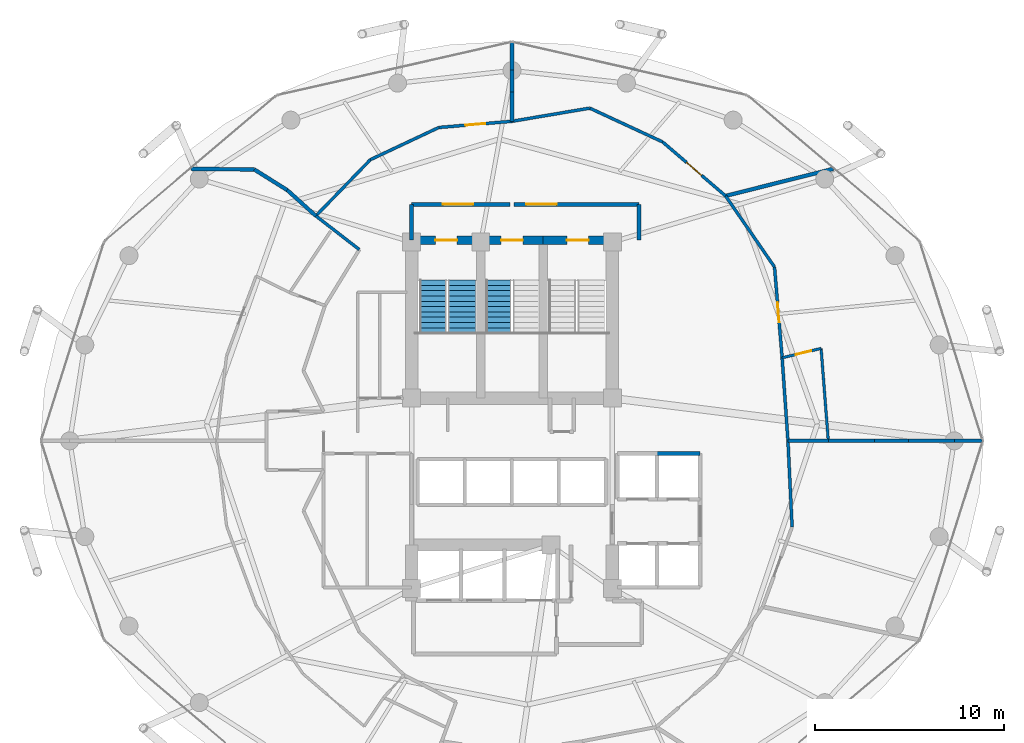
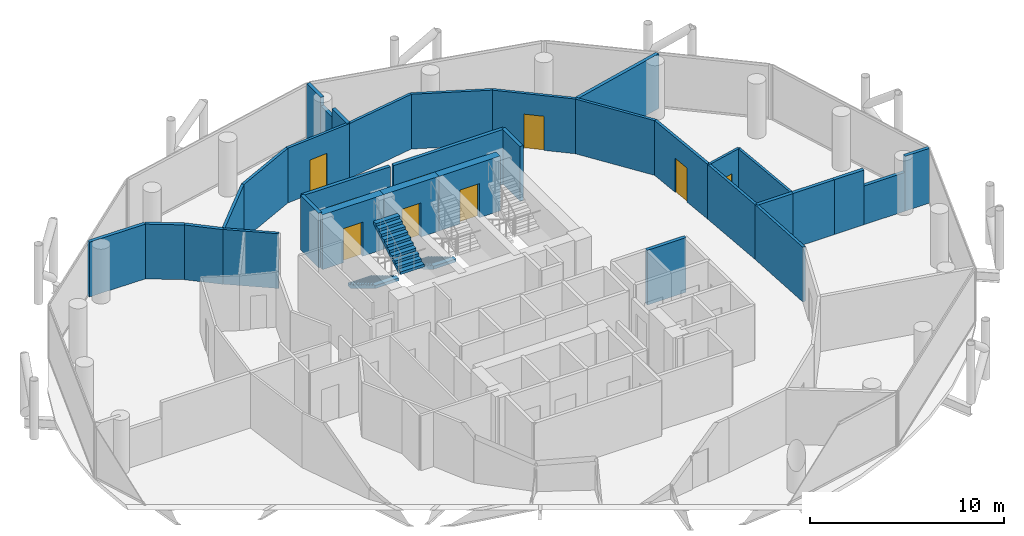
# One storey, part 24 of 26: 33 walls, 9 doors, 3 stair flights, 9 openings, 2 elements without a shape of their own.
"""IFC4 building model written with IfcOpenShell, lengths in metres."""

import ifcopenshell
import ifcopenshell.guid

model = None  # the IFC model being written
_history = None  # IfcOwnerHistory: only IFC2X3 demands one
_inside = {}  # id of a spatial element -> (the spatial element, [elements in it])
_under = {}  # id of a project, library or spatial element -> (it, [spatial elements below it])
_declared = {}  # id of a project -> (the project, [libraries it declares])
_typed = {}  # id of a type object -> (the type object, [elements of that type])
_made_of = {}  # id of a material, layer set ... -> (it, [elements and type objects made of it])


def new_model(schema):
    """Start an empty IFC model of exactly this schema.

    Asked for "IFC4X3", IfcOpenShell would pick the latest addendum, in which some entities
    have other attributes; the version numbers below select the first issue.
    IFC2X3 requires an IfcOwnerHistory on every rooted entity: one is made here for all.
    """
    global model, _history
    if schema == "IFC4X3":
        model = ifcopenshell.file(schema_version=(4, 3, 0, 0))
    else:
        model = ifcopenshell.file(schema=schema)
    _inside.clear()
    _under.clear()
    _declared.clear()
    _typed.clear()
    _made_of.clear()
    _history = None
    if model.schema == "IFC2X3":
        org = make("IfcOrganization", Name="unknown")
        user = make(
            "IfcPersonAndOrganization",
            ThePerson=make("IfcPerson", FamilyName="unknown"),
            TheOrganization=org,
        )
        app = make(
            "IfcApplication",
            ApplicationDeveloper=org,
            Version="unknown",
            ApplicationFullName="unknown",
            ApplicationIdentifier="unknown",
        )
        _history = make(
            "IfcOwnerHistory",
            OwningUser=user,
            OwningApplication=app,
            ChangeAction="ADDED",
            CreationDate=0,
        )
    return model


def make(cls, **values):
    """One entity of the class cls with the attributes given. An attribute that is None is left unset."""
    return model.create_entity(
        cls, **{name: value for name, value in values.items() if value is not None}
    )


def rooted(cls, **values):
    """An entity with a GlobalId (a new one), such as an element, a storey or a relation."""
    return make(cls, GlobalId=ifcopenshell.guid.new(), OwnerHistory=_history, **values)


def si_unit(unit_type, name, prefix=None):
    """IfcSIUnit, for example si_unit("LENGTHUNIT", "METRE", prefix="MILLI")."""
    return make("IfcSIUnit", UnitType=unit_type, Prefix=prefix, Name=name)


def assignment(units):
    """IfcUnitAssignment: the units of a project."""
    return None if units is None else make("IfcUnitAssignment", Units=units)


def point(xyz):
    """IfcCartesianPoint."""
    return None if xyz is None else make("IfcCartesianPoint", Coordinates=xyz)


def direction(xyz):
    """IfcDirection."""
    return None if xyz is None else make("IfcDirection", DirectionRatios=xyz)


def frame(location, z_axis=None, x_axis=None):
    """IfcAxis2Placement3D, a coordinate frame: its origin and axes. An axis left out is left unset."""
    return make(
        "IfcAxis2Placement3D",
        Location=point(location),
        Axis=direction(z_axis),
        RefDirection=direction(x_axis),
    )


def frame_2d(location, x_axis=None):
    """IfcAxis2Placement2D, a coordinate frame in the plane: its origin and x axis."""
    return make(
        "IfcAxis2Placement2D", Location=point(location), RefDirection=direction(x_axis)
    )


def origin():
    """The frame at (0, 0, 0) with its axes left unset."""
    return frame((0.0, 0.0, 0.0))


def place(relative_to, where):
    """IfcLocalPlacement: puts the frame where relative to a parent placement (None: the world)."""
    return make(
        "IfcLocalPlacement", PlacementRelTo=relative_to, RelativePlacement=where
    )


def context(
    kind, dimensions, precision=None, world=None, true_north=None, identifier=None
):
    """IfcGeometricRepresentationContext, for example the 3D "Model" context."""
    return make(
        "IfcGeometricRepresentationContext",
        ContextIdentifier=identifier,
        ContextType=kind,
        CoordinateSpaceDimension=dimensions,
        Precision=precision,
        WorldCoordinateSystem=world,
        TrueNorth=true_north,
    )


def subcontext(parent, identifier, kind, view, scale=None):
    """IfcGeometricRepresentationSubContext, for example "Body" below "Model"."""
    return make(
        "IfcGeometricRepresentationSubContext",
        ContextIdentifier=identifier,
        ContextType=kind,
        ParentContext=parent,
        TargetScale=scale,
        TargetView=view,
    )


def project(units=None, contexts=None):
    """IfcProject with its units and contexts."""
    return rooted(
        "IfcProject",
        Name="project",
        RepresentationContexts=contexts,
        UnitsInContext=assignment(units),
    )


def spatial(cls, under=None, at=None, **own):
    """A site, building, storey or space (cls), placed at a placement, below another one or the project."""
    s = rooted(cls, ObjectPlacement=at, **own)
    if under is not None:
        _under.setdefault(under.id(), (under, []))[1].append(s)
    return s


def polyline(points):
    """IfcPolyline through the points."""
    return make("IfcPolyline", Points=[point(p) for p in points])


def profile(cls, at=None, kind="AREA", **sizes):
    """A parametric profile (cls). Its sizes go by their IFC names, for example OverallWidth=200.0."""
    return make(cls, ProfileType=kind, Position=at, **sizes)


def rectangle(**sizes):
    """IfcRectangleProfileDef."""
    return profile("IfcRectangleProfileDef", **sizes)


def outline(outer, holes=None, kind="AREA"):
    """IfcArbitraryClosedProfileDef: a profile drawn as a closed curve; with holes, ...WithVoids."""
    if holes is None:
        return make("IfcArbitraryClosedProfileDef", ProfileType=kind, OuterCurve=outer)
    return make(
        "IfcArbitraryProfileDefWithVoids",
        ProfileType=kind,
        OuterCurve=outer,
        InnerCurves=holes,
    )


def extrude(swept, where, along, depth):
    """IfcExtrudedAreaSolid: the profile swept, set in the frame where, extruded along a direction by depth."""
    return make(
        "IfcExtrudedAreaSolid",
        SweptArea=swept,
        Position=where,
        ExtrudedDirection=direction(along),
        Depth=depth,
    )


def shape(context_of_items, identifier, shape_type, items):
    """IfcShapeRepresentation: the items that make up one representation, for example the "Body"."""
    return make(
        "IfcShapeRepresentation",
        ContextOfItems=context_of_items,
        RepresentationIdentifier=identifier,
        RepresentationType=shape_type,
        Items=items,
    )


def material(Name=None, Category=None):
    """IfcMaterial."""
    return make("IfcMaterial", Name=Name, Category=Category)


def layer(
    of_material, thickness, ventilated=None, Name=None, Category=None, Priority=None
):
    """IfcMaterialLayer: one layer of a wall or slab, of a material (None: an air gap)."""
    return make(
        "IfcMaterialLayer",
        Material=of_material,
        LayerThickness=thickness,
        IsVentilated=ventilated,
        Name=Name,
        Category=Category,
        Priority=Priority,
    )


def layer_set(layers, Name=None):
    """IfcMaterialLayerSet."""
    return make("IfcMaterialLayerSet", MaterialLayers=layers, LayerSetName=Name)


def made_of(thing, what):
    """Note that an element or type object is made of a material, layer set ...; save() writes the relation."""
    if what is not None:
        _made_of.setdefault(what.id(), (what, []))[1].append(thing)
    return thing


def type_object(cls, material=None, **own):
    """A type object (cls), such as IfcWallType, which elements share."""
    return made_of(rooted(cls, **own), material)


def element(
    cls,
    number,
    at=None,
    inside=None,
    cuts=None,
    type_object=None,
    material=None,
    context=None,
    identifier="Body",
    shape_type=None,
    held_by="IfcProductDefinitionShape",
    body=None,
    shapes=None,
    **own,
):
    """One element of the class cls, such as IfcWall. Its Tag is "e" and its number.

    at: its placement. inside: the storey or other place that contains it. cuts: it is an
    opening in that element (IfcRelVoidsElement). A single representation is given by context,
    identifier, shape_type and body (its items); several are given by shapes. held_by: the class
    of the entity that holds the representations. save() writes the other relations.
    """
    e = rooted(cls, Tag="e%d" % number, ObjectPlacement=at, **own)
    if body is not None:
        shapes = [shape(context, identifier, shape_type, body)]
    if shapes is not None:
        e.Representation = make(held_by, Representations=shapes)
    if inside is not None:
        _inside.setdefault(inside.id(), (inside, []))[1].append(e)
    if cuts is not None:
        rooted(
            "IfcRelVoidsElement", RelatingBuildingElement=cuts, RelatedOpeningElement=e
        )
    if type_object is not None:
        _typed.setdefault(type_object.id(), (type_object, []))[1].append(e)
    return made_of(e, material)


def fill(opening, filler):
    """IfcRelFillsElement: the door or window that sits in an opening."""
    return rooted(
        "IfcRelFillsElement",
        RelatingOpeningElement=opening,
        RelatedBuildingElement=filler,
    )


def aggregate(whole, parts):
    """IfcRelAggregates: a whole, such as a stair, and the parts it consists of."""
    return rooted("IfcRelAggregates", RelatingObject=whole, RelatedObjects=parts)


def save(model, path):
    """Write the relations noted so far, then the file.

    IfcRelAggregates (storeys below a building ...), IfcRelContainedInSpatialStructure (elements
    in a storey), IfcRelDefinesByType, IfcRelAssociatesMaterial and IfcRelDeclares: one each for
    every whole, place, type object, material and project.
    """
    for whole, parts in _under.values():
        aggregate(whole, parts)
    for where, things in _inside.values():
        rooted(
            "IfcRelContainedInSpatialStructure",
            RelatedElements=things,
            RelatingStructure=where,
        )
    for kind, things in _typed.values():
        rooted("IfcRelDefinesByType", RelatedObjects=things, RelatingType=kind)
    for what, things in _made_of.values():
        rooted("IfcRelAssociatesMaterial", RelatedObjects=things, RelatingMaterial=what)
    for by, libraries in _declared.values():
        rooted("IfcRelDeclares", RelatingContext=by, RelatedDefinitions=libraries)
    model.write(path)


model = new_model("IFC4")

# Units and contexts
model_context = context("Model", 3, precision=1e-05, world=origin(), true_north=direction((0.0, 1.0)))
body_context = subcontext(model_context, "Body", "Model", "MODEL_VIEW")
ifc_project = project(units=[si_unit("LENGTHUNIT", "METRE"), si_unit("AREAUNIT", "SQUARE_METRE"), si_unit("VOLUMEUNIT", "CUBIC_METRE"), si_unit("PLANEANGLEUNIT", "RADIAN"), si_unit("MASSUNIT", "GRAM", prefix="KILO")], contexts=[model_context])

# Site, building, storey
site_placement = place(None, origin())
site = spatial("IfcSite", under=ifc_project, at=site_placement, CompositionType="ELEMENT")
building_placement = place(site_placement, origin())
building = spatial("IfcBuilding", under=site, at=building_placement, Name="Nuhasar Tower", CompositionType="ELEMENT")
storey_placement = place(building_placement, frame((0.0, 0.0, 177.449951171875)))
storey = spatial("IfcBuildingStorey", under=building, at=storey_placement, Name="L43", CompositionType="ELEMENT", Elevation=177.449951171875)

# Wall, opening, door
ifc_material_1 = material(Name="Concrete C50/60", Category="concrete")
ifc_layer_1 = layer(ifc_material_1, 0.449951171875)
ifc_layer_set_1 = layer_set([ifc_layer_1], Name="Concrete C50/60")
wall_type_1 = type_object("IfcWallType", Name="WL-CORE-450", PredefinedType="SHEAR", material=ifc_layer_set_1)
wall_1_placement = place(storey_placement, frame((37.35009765625, 37.39990234375, 0.0), z_axis=(0.0, 0.0, 1.0), x_axis=(-1.0, 0.0, 0.0)))
wall_1 = element("IfcWall", 1, at=wall_1_placement, inside=storey, type_object=wall_type_1, Name="L43 Stairwell Shear Wall ST01-N", PredefinedType="SHEAR", context=body_context, shape_type="SweptSolid", body=[
    extrude(rectangle(XDim=3.650146484375, YDim=0.449951171875, at=frame_2d((1.8251953125, 0.0))), origin(), (0.0, 0.0, 1.0), 3.449951171875),
])
opening_1_placement = place(wall_1_placement, frame((1.25, 0.0, 0.0)))
opening_1 = element("IfcOpeningElement", 2, at=opening_1_placement, cuts=wall_1, Name="Opening DS-01", PredefinedType="OPENING", context=body_context, shape_type="SweptSolid", body=[
    extrude(rectangle(XDim=1.14990234375, YDim=2.14990234375, at=frame_2d((0.574951171875, 1.074951171875))), frame((0.0, 0.23486328125, 0.0), z_axis=(0.0, -1.0, 0.0), x_axis=(1.0, 0.0, 0.0)), (0.0, 0.0, 1.0), 0.469970703125),
])
ifc_material_2 = material(Name="Steel S355", Category="steel")
door_type_1 = type_object("IfcDoorType", Name="DR-STAIR-FD120-1150", OperationType="NOTDEFINED", PredefinedType="DOOR", material=ifc_material_2)
door_1_placement = place(opening_1_placement, origin())
door_1 = element("IfcDoor", 3, at=door_1_placement, inside=storey, type_object=door_type_1, Name="L43 Exit Stair ST-01 Door", OperationType="SINGLE_SWING_RIGHT", OverallHeight=2.14990234375, OverallWidth=1.14990234375, PredefinedType="DOOR", context=body_context, shape_type="SweptSolid", body=[
    extrude(rectangle(XDim=1.14990234375, YDim=2.14990234375, at=frame_2d((0.574951171875, 1.074951171875))), frame((0.0, 0.02490234375, 0.0), z_axis=(0.0, -1.0, 0.0), x_axis=(1.0, 0.0, 0.0)), (0.0, 0.0, 1.0), 0.050048828125),
])
fill(opening_1, door_1)

wall_2_placement = place(storey_placement, frame((40.64990234375, 37.39990234375, 0.0), z_axis=(0.0, 0.0, 1.0), x_axis=(-1.0, 0.0, 0.0)))
wall_2 = element("IfcWall", 4, at=wall_2_placement, inside=storey, type_object=wall_type_1, Name="L43 Stairwell Shear Wall ST03-N", PredefinedType="SHEAR", context=body_context, shape_type="SweptSolid", body=[
    extrude(rectangle(XDim=3.2998046875, YDim=0.449951171875, at=frame_2d((1.64990234375, 0.0))), origin(), (0.0, 0.0, 1.0), 3.449951171875),
])
opening_2_placement = place(wall_2_placement, frame((1.074951171875, 0.0, 0.0)))
opening_2 = element("IfcOpeningElement", 5, at=opening_2_placement, cuts=wall_2, Name="Opening DS-01", PredefinedType="OPENING", context=body_context, shape_type="SweptSolid", body=[
    extrude(rectangle(XDim=1.14990234375, YDim=2.14990234375, at=frame_2d((0.574951171875, 1.074951171875))), frame((0.0, 0.23486328125, 0.0), z_axis=(0.0, -1.0, 0.0), x_axis=(1.0, 0.0, 0.0)), (0.0, 0.0, 1.0), 0.469970703125),
])
door_2_placement = place(opening_2_placement, origin())
door_2 = element("IfcDoor", 6, at=door_2_placement, inside=storey, type_object=door_type_1, Name="L43 Exit Stair ST-03 Door", OperationType="SINGLE_SWING_RIGHT", OverallHeight=2.14990234375, OverallWidth=1.14990234375, PredefinedType="DOOR", context=body_context, shape_type="SweptSolid", body=[
    extrude(rectangle(XDim=1.14990234375, YDim=2.14990234375, at=frame_2d((0.574951171875, 1.074951171875))), frame((0.0, 0.02490234375, 0.0), z_axis=(0.0, -1.0, 0.0), x_axis=(1.0, 0.0, 0.0)), (0.0, 0.0, 1.0), 0.050048828125),
])
fill(opening_2, door_2)

wall_3_placement = place(storey_placement, frame((44.300048828125, 37.39990234375, 0.0), z_axis=(0.0, 0.0, 1.0), x_axis=(-1.0, 0.0, 0.0)))
wall_3 = element("IfcWall", 7, at=wall_3_placement, inside=storey, type_object=wall_type_1, Name="L43 Stairwell Shear Wall ST02-N", PredefinedType="SHEAR", context=body_context, shape_type="SweptSolid", body=[
    extrude(rectangle(XDim=3.650146484375, YDim=0.449951171875, at=frame_2d((1.8251953125, 0.0))), origin(), (0.0, 0.0, 1.0), 3.449951171875),
])
opening_3_placement = place(wall_3_placement, frame((1.25, 0.0, 0.0)))
opening_3 = element("IfcOpeningElement", 8, at=opening_3_placement, cuts=wall_3, Name="Opening DS-01", PredefinedType="OPENING", context=body_context, shape_type="SweptSolid", body=[
    extrude(rectangle(XDim=1.14990234375, YDim=2.14990234375, at=frame_2d((0.574951171875, 1.074951171875))), frame((0.0, 0.23486328125, 0.0), z_axis=(0.0, -1.0, 0.0), x_axis=(1.0, 0.0, 0.0)), (0.0, 0.0, 1.0), 0.469970703125),
])
door_3_placement = place(opening_3_placement, origin())
door_3 = element("IfcDoor", 9, at=door_3_placement, inside=storey, type_object=door_type_1, Name="L43 Exit Stair ST-02 Door", OperationType="SINGLE_SWING_LEFT", OverallHeight=2.14990234375, OverallWidth=1.14990234375, PredefinedType="DOOR", context=body_context, shape_type="SweptSolid", body=[
    extrude(rectangle(XDim=1.14990234375, YDim=2.14990234375, at=frame_2d((0.574951171875, 1.074951171875))), frame((0.0, 0.02490234375, 0.0), z_axis=(0.0, -1.0, 0.0), x_axis=(1.0, 0.0, 0.0)), (0.0, 0.0, 1.0), 0.050048828125),
])
fill(opening_3, door_3)

# Walls
ifc_material_3 = material(Name="Gypsum Board", Category="gypsum")
ifc_layer_2 = layer(ifc_material_3, 0.159912109375)
ifc_layer_set_2 = layer_set([ifc_layer_2], Name="Gypsum Board")
wall_type_2 = type_object("IfcWallType", Name="WL-CORR-160", PredefinedType="PARTITIONING", material=ifc_layer_set_2)
wall_4_placement = place(storey_placement, frame((53.7880859375, 22.256103515625, 0.0), z_axis=(0.0, 0.0, 1.0), x_axis=(-0.047924666937, 0.998850952995, 0.0)))
element("IfcWall", 10, at=wall_4_placement, inside=storey, type_object=wall_type_2, Name="L43 Interior Partition CORR-46", PredefinedType="PARTITIONING", context=body_context, shape_type="SweptSolid", body=[
    extrude(rectangle(XDim=4.549072265625, YDim=0.159912109375, at=frame_2d((2.2744140625, 0.0))), origin(), (0.0, 0.0, 1.0), 3.449951171875),
])
wall_5_placement = place(storey_placement, frame((53.570068359375, 26.800048828125, 0.0), z_axis=(0.0, 0.0, 1.0), x_axis=(-0.070141062977, 0.997537082661, 0.0)))
element("IfcWall", 11, at=wall_5_placement, inside=storey, type_object=wall_type_2, Name="L43 Interior Partition CORR-00", PredefinedType="PARTITIONING", context=body_context, shape_type="SweptSolid", body=[
    extrude(rectangle(XDim=4.392578125, YDim=0.159912109375, at=frame_2d((2.1962890625, 0.0))), origin(), (0.0, 0.0, 1.0), 3.449951171875),
])

# Wall, opening, door
wall_6_placement = place(storey_placement, frame((52.860107421875, 35.97607421875, 0.0), z_axis=(0.0, 0.0, 1.0), x_axis=(0.083528435033, -0.996505394135, 0.0)))
wall_6 = element("IfcWall", 12, at=wall_6_placement, inside=storey, type_object=wall_type_2, Name="L43 Interior Partition CORR-02", PredefinedType="PARTITIONING", context=body_context, shape_type="SweptSolid", body=[
    extrude(rectangle(XDim=4.81103515625, YDim=0.159912109375, at=frame_2d((2.405517578125, 0.0))), origin(), (0.0, 0.0, 1.0), 3.449951171875),
])
opening_4_placement = place(wall_6_placement, frame((1.8798828125, 0.0, 0.0)))
opening_4 = element("IfcOpeningElement", 13, at=opening_4_placement, cuts=wall_6, Name="Opening DU-01", PredefinedType="OPENING", context=body_context, shape_type="SweptSolid", body=[
    extrude(rectangle(XDim=1.050048828125, YDim=2.14990234375, at=frame_2d((0.52490234375, 1.074951171875))), frame((0.0, 0.08984375, 0.0), z_axis=(0.0, -1.0, 0.0), x_axis=(1.0, 0.0, 0.0)), (0.0, 0.0, 1.0), 0.179931640625),
])
ifc_material_4 = material(Name="Timber Oak", Category="wood")
door_type_2 = type_object("IfcDoorType", Name="DR-SUITE-FD60-1050", OperationType="NOTDEFINED", PredefinedType="DOOR", material=ifc_material_4)
door_4_placement = place(opening_4_placement, origin())
door_4 = element("IfcDoor", 14, at=door_4_placement, inside=storey, type_object=door_type_2, Name="L43 Family Suite 02 Entrance Door", OperationType="SINGLE_SWING_LEFT", OverallHeight=2.14990234375, OverallWidth=1.050048828125, PredefinedType="DOOR", context=body_context, shape_type="SweptSolid", body=[
    extrude(rectangle(XDim=1.050048828125, YDim=2.14990234375, at=frame_2d((0.52490234375, 1.074951171875))), frame((0.0, 0.02490234375, 0.0), z_axis=(0.0, -1.0, 0.0), x_axis=(1.0, 0.0, 0.0)), (0.0, 0.0, 1.0), 0.050048828125),
])
fill(opening_4, door_4)

# Wall
wall_7_placement = place(storey_placement, frame((52.860107421875, 35.97607421875, 0.0), z_axis=(0.0, 0.0, 1.0), x_axis=(-0.567037984517, 0.82369164383, 0.0)))
element("IfcWall", 15, at=wall_7_placement, inside=storey, type_object=wall_type_2, Name="L43 Interior Partition CORR-04", PredefinedType="PARTITIONING", context=body_context, shape_type="SweptSolid", body=[
    extrude(rectangle(XDim=4.557373046875, YDim=0.159912109375, at=frame_2d((2.27880859375, 0.0))), origin(), (0.0, 0.0, 1.0), 3.449951171875),
])

# Wall, opening, door
wall_8_placement = place(storey_placement, frame((46.947021484375, 42.5830078125, 0.0), z_axis=(0.0, 0.0, 1.0), x_axis=(0.759288048082, -0.650754684993, 0.0)))
wall_8 = element("IfcWall", 16, at=wall_8_placement, inside=storey, type_object=wall_type_2, Name="L43 Interior Partition CORR-06", PredefinedType="PARTITIONING", context=body_context, shape_type="SweptSolid", body=[
    extrude(rectangle(XDim=4.38427734375, YDim=0.159912109375, at=frame_2d((2.192138671875, 0.0))), origin(), (0.0, 0.0, 1.0), 3.449951171875),
])
opening_5_placement = place(wall_8_placement, frame((1.6669921875, 0.0, 0.0)))
opening_5 = element("IfcOpeningElement", 17, at=opening_5_placement, cuts=wall_8, Name="Opening DU-01", PredefinedType="OPENING", context=body_context, shape_type="SweptSolid", body=[
    extrude(rectangle(XDim=1.050048828125, YDim=2.14990234375, at=frame_2d((0.52490234375, 1.074951171875))), frame((0.0, 0.08984375, 0.0), z_axis=(0.0, -1.0, 0.0), x_axis=(1.0, 0.0, 0.0)), (0.0, 0.0, 1.0), 0.179931640625),
])
door_5_placement = place(opening_5_placement, origin())
door_5 = element("IfcDoor", 18, at=door_5_placement, inside=storey, type_object=door_type_2, Name="L43 Young Explorers Play Club Entrance Door", OperationType="SINGLE_SWING_LEFT", OverallHeight=2.14990234375, OverallWidth=1.050048828125, PredefinedType="DOOR", context=body_context, shape_type="SweptSolid", body=[
    extrude(rectangle(XDim=1.050048828125, YDim=2.14990234375, at=frame_2d((0.52490234375, 1.074951171875))), frame((0.0, 0.02490234375, 0.0), z_axis=(0.0, -1.0, 0.0), x_axis=(1.0, 0.0, 0.0)), (0.0, 0.0, 1.0), 0.050048828125),
])
fill(opening_5, door_5)

# Walls
wall_9_placement = place(storey_placement, frame((46.947021484375, 42.5830078125, 0.0), z_axis=(0.0, 0.0, 1.0), x_axis=(-0.907214055844, 0.420669296335, 0.0)))
element("IfcWall", 19, at=wall_9_placement, inside=storey, type_object=wall_type_2, Name="L43 Interior Partition CORR-08", PredefinedType="PARTITIONING", context=body_context, shape_type="SweptSolid", body=[
    extrude(rectangle(XDim=4.236083984375, YDim=0.159912109375, at=frame_2d((2.1181640625, 0.0))), origin(), (0.0, 0.0, 1.0), 3.449951171875),
])
wall_10_placement = place(storey_placement, frame((43.10400390625, 44.364990234375, 0.0), z_axis=(0.0, 0.0, 1.0), x_axis=(-0.985959351307, -0.166985501081, 0.0)))
element("IfcWall", 20, at=wall_10_placement, inside=storey, type_object=wall_type_2, Name="L43 Interior Partition CORR-10", PredefinedType="PARTITIONING", context=body_context, shape_type="SweptSolid", body=[
    extrude(rectangle(XDim=4.162353515625, YDim=0.159912109375, at=frame_2d((2.0810546875, 0.0))), origin(), (0.0, 0.0, 1.0), 3.449951171875),
])

# Wall, opening, door
wall_11_placement = place(storey_placement, frame((35.135009765625, 43.343017578125, 0.0), z_axis=(0.0, 0.0, 1.0), x_axis=(0.996442115189, 0.084279956556, 0.0)))
wall_11 = element("IfcWall", 21, at=wall_11_placement, inside=storey, type_object=wall_type_2, Name="L43 Interior Partition CORR-12", PredefinedType="PARTITIONING", context=body_context, shape_type="SweptSolid", body=[
    extrude(rectangle(XDim=3.87890625, YDim=0.159912109375, at=frame_2d((1.939453125, 0.0))), origin(), (0.0, 0.0, 1.0), 3.449951171875),
])
opening_6_placement = place(wall_11_placement, frame((1.4140625, 0.0, 0.0)))
opening_6 = element("IfcOpeningElement", 22, at=opening_6_placement, cuts=wall_11, Name="Opening DU-01", PredefinedType="OPENING", context=body_context, shape_type="SweptSolid", body=[
    extrude(rectangle(XDim=1.050048828125, YDim=2.14990234375, at=frame_2d((0.52490234375, 1.074951171875))), frame((0.0, 0.08984375, 0.0), z_axis=(0.0, -1.0, 0.0), x_axis=(1.0, 0.0, 0.0)), (0.0, 0.0, 1.0), 0.179931640625),
])
door_6_placement = place(opening_6_placement, origin())
door_6 = element("IfcDoor", 23, at=door_6_placement, inside=storey, type_object=door_type_2, Name="L43 Family Gelato Kitchen Entrance Door", OperationType="SINGLE_SWING_RIGHT", OverallHeight=2.14990234375, OverallWidth=1.050048828125, PredefinedType="DOOR", context=body_context, shape_type="SweptSolid", body=[
    extrude(rectangle(XDim=1.050048828125, YDim=2.14990234375, at=frame_2d((0.52490234375, 1.074951171875))), frame((0.0, 0.02490234375, 0.0), z_axis=(0.0, -1.0, 0.0), x_axis=(1.0, 0.0, 0.0)), (0.0, 0.0, 1.0), 0.050048828125),
])
fill(opening_6, door_6)

# Walls
wall_12_placement = place(storey_placement, frame((35.135009765625, 43.343017578125, 0.0), z_axis=(0.0, 0.0, 1.0), x_axis=(-0.904903283727, -0.425617254232, 0.0)))
element("IfcWall", 24, at=wall_12_placement, inside=storey, type_object=wall_type_2, Name="L43 Interior Partition CORR-14", PredefinedType="PARTITIONING", context=body_context, shape_type="SweptSolid", body=[
    extrude(rectangle(XDim=3.989501953125, YDim=0.159912109375, at=frame_2d((1.99462890625, 0.0))), origin(), (0.0, 0.0, 1.0), 3.449951171875),
])
wall_13_placement = place(storey_placement, frame((31.52490234375, 41.64501953125, 0.0), z_axis=(0.0, 0.0, 1.0), x_axis=(-0.69625640942, -0.717793154287, 0.0)))
element("IfcWall", 25, at=wall_13_placement, inside=storey, type_object=wall_type_2, Name="L43 Interior Partition CORR-16", PredefinedType="PARTITIONING", context=body_context, shape_type="SweptSolid", body=[
    extrude(rectangle(XDim=4.1376953125, YDim=0.159912109375, at=frame_2d((2.06884765625, 0.0))), origin(), (0.0, 0.0, 1.0), 3.449951171875),
])
wall_14_placement = place(storey_placement, frame((30.93896484375, 36.89697265625, 0.0), z_axis=(0.0, 0.0, 1.0), x_axis=(-0.79049648077, 0.612466581856, 0.0)))
element("IfcWall", 26, at=wall_14_placement, inside=storey, type_object=wall_type_2, Name="L43 Interior Partition HRAD-18-IN", PredefinedType="PARTITIONING", context=body_context, shape_type="SweptSolid", body=[
    extrude(rectangle(XDim=2.903076171875, YDim=0.159912109375, at=frame_2d((1.45166015625, 0.0))), origin(), (0.0, 0.0, 1.0), 3.449951171875),
])
ifc_material_5 = material(Name="Concrete C45/55", Category="concrete")
ifc_layer_3 = layer(ifc_material_5, 0.199951171875)
ifc_layer_set_3 = layer_set([ifc_layer_3], Name="Concrete C45/55")
wall_type_3 = type_object("IfcWallType", Name="WL-LOBBY-200", PredefinedType="SOLIDWALL", material=ifc_layer_set_3)
for number, where, z_axis, x_axis, name in (
    (27, (33.699951171875, 37.39990234375, 0.0), (0.0, 0.0, 1.0), (0.0, 1.0, 0.0), "L43 Interior Partition NSL-W"),
    (28, (45.699951171875, 37.39990234375, 0.0), (0.0, 0.0, 1.0), (0.0, 1.0, 0.0), "L43 Interior Partition NSL-E"),
):
    element("IfcWall", number, at=place(storey_placement, frame(where, z_axis=z_axis, x_axis=x_axis)), inside=storey, type_object=wall_type_3, Name=name, PredefinedType="SOLIDWALL", context=body_context, shape_type="SweptSolid", body=[
        extrude(rectangle(XDim=1.880126953125, YDim=0.199951171875, at=frame_2d((0.93994140625, 0.0))), origin(), (0.0, 0.0, 1.0), 3.449951171875),
    ])

# Wall, opening, door
wall_15_placement = place(storey_placement, frame((38.89990234375, 39.280029296875, 0.0), z_axis=(0.0, 0.0, 1.0), x_axis=(-1.0, 0.0, 0.0)))
wall_15 = element("IfcWall", 29, at=wall_15_placement, inside=storey, type_object=wall_type_3, Name="L43 Interior Partition NSL-N1", PredefinedType="SOLIDWALL", context=body_context, shape_type="SweptSolid", body=[
    extrude(rectangle(XDim=5.199951171875, YDim=0.199951171875, at=frame_2d((2.60009765625, 0.0))), origin(), (0.0, 0.0, 1.0), 3.449951171875),
])
opening_7_placement = place(wall_15_placement, frame((1.949951171875, 0.0, 0.0)))
opening_7 = element("IfcOpeningElement", 30, at=opening_7_placement, cuts=wall_15, Name="Opening DC-01", PredefinedType="OPENING", context=body_context, shape_type="SweptSolid", body=[
    extrude(rectangle(XDim=1.60009765625, YDim=2.199951171875, at=frame_2d((0.800048828125, 1.10009765625))), frame((0.0, 0.10986328125, 0.0), z_axis=(0.0, -1.0, 0.0), x_axis=(1.0, 0.0, 0.0)), (0.0, 0.0, 1.0), 0.219970703125),
])
door_type_3 = type_object("IfcDoorType", Name="DR-CORR-FD60-1600", OperationType="DOUBLE_DOOR_SINGLE_SWING", PredefinedType="DOOR", material=ifc_material_2)
door_7_placement = place(opening_7_placement, origin())
door_7 = element("IfcDoor", 31, at=door_7_placement, inside=storey, type_object=door_type_3, Name="L43 North Stair Lobby West Door", OperationType="DOUBLE_DOOR_SINGLE_SWING", OverallHeight=2.199951171875, OverallWidth=1.60009765625, PredefinedType="DOOR", context=body_context, shape_type="SweptSolid", body=[
    extrude(rectangle(XDim=1.60009765625, YDim=2.199951171875, at=frame_2d((0.800048828125, 1.10009765625))), frame((0.0, 0.02490234375, 0.0), z_axis=(0.0, -1.0, 0.0), x_axis=(1.0, 0.0, 0.0)), (0.0, 0.0, 1.0), 0.050048828125),
])
fill(opening_7, door_7)

wall_16_placement = place(storey_placement, frame((45.699951171875, 39.280029296875, 0.0), z_axis=(0.0, 0.0, 1.0), x_axis=(-1.0, 0.0, 0.0)))
wall_16 = element("IfcWall", 32, at=wall_16_placement, inside=storey, type_object=wall_type_3, Name="L43 Interior Partition NSL-N2", PredefinedType="SOLIDWALL", context=body_context, shape_type="SweptSolid", body=[
    extrude(rectangle(XDim=6.599853515625, YDim=0.199951171875, at=frame_2d((3.2998046875, 0.0))), origin(), (0.0, 0.0, 1.0), 3.449951171875),
])
opening_8_placement = place(wall_16_placement, frame((4.35009765625, 0.0, 0.0)))
opening_8 = element("IfcOpeningElement", 33, at=opening_8_placement, cuts=wall_16, Name="Opening DC-01", PredefinedType="OPENING", context=body_context, shape_type="SweptSolid", body=[
    extrude(rectangle(XDim=1.60009765625, YDim=2.199951171875, at=frame_2d((0.800048828125, 1.10009765625))), frame((0.0, 0.10986328125, 0.0), z_axis=(0.0, -1.0, 0.0), x_axis=(1.0, 0.0, 0.0)), (0.0, 0.0, 1.0), 0.219970703125),
])
door_8_placement = place(opening_8_placement, origin())
door_8 = element("IfcDoor", 34, at=door_8_placement, inside=storey, type_object=door_type_3, Name="L43 North Stair Lobby East Door", OperationType="DOUBLE_DOOR_SINGLE_SWING", OverallHeight=2.199951171875, OverallWidth=1.60009765625, PredefinedType="DOOR", context=body_context, shape_type="SweptSolid", body=[
    extrude(rectangle(XDim=1.60009765625, YDim=2.199951171875, at=frame_2d((0.800048828125, 1.10009765625))), frame((0.0, 0.02490234375, 0.0), z_axis=(0.0, -1.0, 0.0), x_axis=(1.0, 0.0, 0.0)), (0.0, 0.0, 1.0), 0.050048828125),
])
fill(opening_8, door_8)

# Walls
ifc_layer_4 = layer(ifc_material_5, 0.199951171875)
ifc_layer_set_4 = layer_set([ifc_layer_4], Name="Concrete C45/55")
wall_type_4 = type_object("IfcWallType", Name="WL-SHAFT-200", PredefinedType="SOLIDWALL", material=ifc_layer_set_4)
wall_17_placement = place(storey_placement, frame((46.6201171875, 26.1298828125, 0.0), z_axis=(0.0, 0.0, 1.0), x_axis=(1.0, 0.0, 0.0)))
element("IfcWall", 35, at=wall_17_placement, inside=storey, type_object=wall_type_4, Name="L43 Interior Partition SHF-PL-M02-N", PredefinedType="SOLIDWALL", context=body_context, shape_type="SweptSolid", body=[
    extrude(rectangle(XDim=2.309814453125, YDim=0.199951171875, at=frame_2d((1.15478515625, 0.0))), origin(), (0.0, 0.0, 1.0), 3.449951171875),
])
ifc_material_6 = material(Name="Concrete C40/50 precast", Category="concrete")
ifc_layer_5 = layer(ifc_material_6, 0.199951171875)
ifc_layer_set_5 = layer_set([ifc_layer_5], Name="Concrete C40/50 precast")
wall_type_5 = type_object("IfcWallType", Name="WL-UNIT-200", PredefinedType="PARTITIONING", material=ifc_layer_set_5)
wall_18_placement = place(storey_placement, frame((28.64404296875, 38.675048828125, 0.0), z_axis=(0.0, 0.0, 1.0), x_axis=(-0.742846076273, 0.669462252085, 0.0)))
element("IfcWall", 36, at=wall_18_placement, inside=storey, type_object=wall_type_5, Name="L43 Interior Partition HRAD-18-OUT-S1", PredefinedType="PARTITIONING", context=body_context, shape_type="SweptSolid", body=[
    extrude(rectangle(XDim=2.03271484375, YDim=0.199951171875, at=frame_2d((1.016357421875, 0.0))), origin(), (0.0, 0.0, 1.0), 3.449951171875),
])
wall_19_placement = place(storey_placement, frame((27.134033203125, 40.035888671875, 0.0), z_axis=(0.0, 0.0, 1.0), x_axis=(-0.847509984022, 0.530779452299, 0.0)))
element("IfcWall", 37, at=wall_19_placement, inside=storey, type_object=wall_type_5, Name="L43 Interior Partition HRAD-18-OUT-S2", PredefinedType="PARTITIONING", context=body_context, shape_type="SweptSolid", body=[
    extrude(rectangle(XDim=2.052001953125, YDim=0.199951171875, at=frame_2d((1.02587890625, 0.0))), origin(), (0.0, 0.0, 1.0), 3.449951171875),
])
wall_20_placement = place(storey_placement, frame((25.39501953125, 41.125, 0.0), z_axis=(0.0, 0.0, 1.0), x_axis=(-0.999945735134, 0.010417619126, 0.0)))
element("IfcWall", 38, at=wall_20_placement, inside=storey, type_object=wall_type_5, Name="L43 Interior Partition HRAD-18-OUT-S3", PredefinedType="PARTITIONING", context=body_context, shape_type="SweptSolid", body=[
    extrude(rectangle(XDim=3.351318359375, YDim=0.199951171875, at=frame_2d((1.67578125, 0.0))), origin(), (0.0, 0.0, 1.0), 3.449951171875),
])
wall_21_placement = place(storey_placement, frame((53.570068359375, 26.800048828125, 0.0), z_axis=(0.0, 0.0, 1.0), x_axis=(1.0, 0.0, 0.0)))
element("IfcWall", 39, at=wall_21_placement, inside=storey, type_object=wall_type_5, Name="L43 Interior Partition HRAD-00-S1", PredefinedType="PARTITIONING", context=body_context, shape_type="SweptSolid", body=[
    extrude(rectangle(XDim=2.1298828125, YDim=0.199951171875, at=frame_2d((1.06494140625, 0.0))), origin(), (0.0, 0.0, 1.0), 3.449951171875),
])
wall_22_placement = place(storey_placement, frame((55.699951171875, 26.800048828125, 0.0), z_axis=(0.0, 0.0, 1.0), x_axis=(1.0, 0.0, 0.0)))
element("IfcWall", 40, at=wall_22_placement, inside=storey, type_object=wall_type_5, Name="L43 Interior Partition HRAD-00-S2", PredefinedType="PARTITIONING", context=body_context, shape_type="SweptSolid", body=[
    extrude(rectangle(XDim=2.449951171875, YDim=0.199951171875, at=frame_2d((1.22509765625, 0.0))), origin(), (0.0, 0.0, 1.0), 3.449951171875),
])
wall_23_placement = place(storey_placement, frame((58.14990234375, 26.800048828125, 0.0), z_axis=(0.0, 0.0, 1.0), x_axis=(1.0, 0.0, 0.0)))
element("IfcWall", 41, at=wall_23_placement, inside=storey, type_object=wall_type_5, Name="L43 Interior Partition HRAD-00-S3", PredefinedType="PARTITIONING", context=body_context, shape_type="SweptSolid", body=[
    extrude(rectangle(XDim=1.777099609375, YDim=0.199951171875, at=frame_2d((0.888671875, 0.0))), origin(), (0.0, 0.0, 1.0), 3.449951171875),
])
wall_24_placement = place(storey_placement, frame((59.927001953125, 26.800048828125, 0.0), z_axis=(0.0, 0.0, 1.0), x_axis=(1.0, 0.0, 0.0)))
element("IfcWall", 42, at=wall_24_placement, inside=storey, type_object=wall_type_5, Name="L43 Interior Partition HRAD-00-S3", PredefinedType="PARTITIONING", context=body_context, shape_type="SweptSolid", body=[
    extrude(rectangle(XDim=2.43505859375, YDim=0.199951171875, at=frame_2d((1.217529296875, 0.0))), origin(), (0.0, 0.0, 1.0), 2.43994140625),
])
wall_25_placement = place(storey_placement, frame((62.362060546875, 26.800048828125, 0.0), z_axis=(0.0, 0.0, 1.0), x_axis=(1.0, 0.0, 0.0)))
element("IfcWall", 43, at=wall_25_placement, inside=storey, type_object=wall_type_5, Name="L43 Interior Partition HRAD-00-S3", PredefinedType="PARTITIONING", context=body_context, shape_type="SweptSolid", body=[
    extrude(rectangle(XDim=1.462890625, YDim=0.199951171875, at=frame_2d((0.7314453125, 0.0))), origin(), (0.0, 0.0, 1.0), 3.449951171875),
])
wall_26_placement = place(storey_placement, frame((50.27587890625, 39.72998046875, 0.0), z_axis=(0.0, 0.0, 1.0), x_axis=(0.969744006307, 0.244124071389, 0.0)))
element("IfcWall", 44, at=wall_26_placement, inside=storey, type_object=wall_type_5, Name="L43 Interior Partition HRAD-06", PredefinedType="PARTITIONING", context=body_context, shape_type="SweptSolid", body=[
    extrude(rectangle(XDim=5.857421875, YDim=0.199951171875, at=frame_2d((2.9287109375, 0.0))), origin(), (0.0, 0.0, 1.0), 3.449951171875),
])
wall_27_placement = place(storey_placement, frame((39.0, 43.669921875, 0.0), z_axis=(0.0, 0.0, 1.0), x_axis=(0.0, 1.0, 0.0)))
element("IfcWall", 45, at=wall_27_placement, inside=storey, type_object=wall_type_5, Name="L43 Interior Partition HRAD-12", PredefinedType="PARTITIONING", context=body_context, shape_type="SweptSolid", body=[
    extrude(rectangle(XDim=1.549072265625, YDim=0.199951171875, at=frame_2d((0.7744140625, 0.0))), origin(), (0.0, 0.0, 1.0), 3.449951171875),
])
wall_28_placement = place(storey_placement, frame((39.0, 45.218994140625, 0.0), z_axis=(0.0, 0.0, 1.0), x_axis=(0.0, 1.0, 0.0)))
element("IfcWall", 46, at=wall_28_placement, inside=storey, type_object=wall_type_5, Name="L43 Interior Partition HRAD-12", PredefinedType="PARTITIONING", context=body_context, shape_type="SweptSolid", body=[
    extrude(rectangle(XDim=1.14892578125, YDim=0.199951171875, at=frame_2d((0.574462890625, 0.0))), origin(), (0.0, 0.0, 1.0), 2.9150390625),
])
wall_29_placement = place(storey_placement, frame((39.0, 46.367919921875, 0.0), z_axis=(0.0, 0.0, 1.0), x_axis=(0.0, 1.0, 0.0)))
element("IfcWall", 47, at=wall_29_placement, inside=storey, type_object=wall_type_5, Name="L43 Interior Partition HRAD-12", PredefinedType="PARTITIONING", context=body_context, shape_type="SweptSolid", body=[
    extrude(rectangle(XDim=1.45703125, YDim=0.199951171875, at=frame_2d((0.728515625, 0.0))), origin(), (0.0, 0.0, 1.0), 3.449951171875),
])

# Wall, opening, door
ifc_layer_6 = layer(ifc_material_6, 0.139892578125)
ifc_layer_set_6 = layer_set([ifc_layer_6], Name="Concrete C40/50 precast")
wall_type_6 = type_object("IfcWallType", Name="WL-WET-140", PredefinedType="PARTITIONING", material=ifc_layer_set_6)
wall_30_placement = place(storey_placement, frame((53.261962890625, 31.181884765625, 0.0), z_axis=(0.0, 0.0, 1.0), x_axis=(0.972156535344, 0.23433239381, 0.0)))
wall_30 = element("IfcWall", 48, at=wall_30_placement, inside=storey, type_object=wall_type_6, Name="L43 Interior Partition HBW-04", PredefinedType="PARTITIONING", context=body_context, shape_type="SweptSolid", body=[
    extrude(rectangle(XDim=2.116943359375, YDim=0.139892578125, at=frame_2d((1.05859375, 0.0))), origin(), (0.0, 0.0, 1.0), 3.449951171875),
])
opening_9_placement = place(wall_30_placement, frame((0.739013671875, 0.0, 0.0)))
opening_9 = element("IfcOpeningElement", 49, at=opening_9_placement, cuts=wall_30, Name="Opening DB-01", PredefinedType="OPENING", context=body_context, shape_type="SweptSolid", body=[
    extrude(rectangle(XDim=0.85009765625, YDim=2.10009765625, at=frame_2d((0.425048828125, 1.050048828125))), frame((0.0, 0.080078125, 0.0), z_axis=(0.0, -1.0, 0.0), x_axis=(1.0, 0.0, 0.0)), (0.0, 0.0, 1.0), 0.159912109375),
])
door_type_4 = type_object("IfcDoorType", Name="DR-BATH-850", OperationType="NOTDEFINED", PredefinedType="DOOR", material=ifc_material_4)
door_9_placement = place(opening_9_placement, origin())
door_9 = element("IfcDoor", 50, at=door_9_placement, inside=storey, type_object=door_type_4, Name="L43 Family Suite 02 En-Suite Door", OperationType="SINGLE_SWING_RIGHT", OverallHeight=2.10009765625, OverallWidth=0.85009765625, PredefinedType="DOOR", context=body_context, shape_type="SweptSolid", body=[
    extrude(rectangle(XDim=0.85009765625, YDim=2.10009765625, at=frame_2d((0.425048828125, 1.050048828125))), frame((0.0, 0.02490234375, 0.0), z_axis=(0.0, -1.0, 0.0), x_axis=(1.0, 0.0, 0.0)), (0.0, 0.0, 1.0), 0.050048828125),
])
fill(opening_9, door_9)

# Wall
wall_31_placement = place(storey_placement, frame((55.699951171875, 26.800048828125, 0.0), z_axis=(0.0, 0.0, 1.0), x_axis=(-0.077642783461, 0.99698124264, 0.0)))
element("IfcWall", 51, at=wall_31_placement, inside=storey, type_object=wall_type_6, Name="L43 Interior Partition HBF-04-00", PredefinedType="PARTITIONING", context=body_context, shape_type="SweptSolid", body=[
    extrude(rectangle(XDim=4.892578125, YDim=0.139892578125, at=frame_2d((2.4462890625, 0.0))), origin(), (0.0, 0.0, 1.0), 3.449951171875),
])

# Stair, stair flights
stair_type_1 = type_object("IfcStairType", Name="STR-ST-01-2F-22R-1682", PredefinedType="HALF_TURN_STAIR", material=ifc_material_5)
stair_1_placement = place(storey_placement, origin())
stair_1 = element("IfcStair", 52, at=stair_1_placement, inside=storey, type_object=stair_type_1, Name="L43 Exit Stair ST-01", PredefinedType="HALF_TURN_STAIR")
stair_flight_type_1 = type_object("IfcStairFlightType", Name="SFL-ST-01-11R-1682", PredefinedType="STRAIGHT", material=ifc_material_5)
stair_flight_1_placement = place(storey_placement, frame((34.830078125, 35.284912109375, 0.0), z_axis=(0.0, 0.0, 1.0), x_axis=(0.0, -1.0, 0.0)))
stair_flight_1 = element("IfcStairFlight", 53, at=stair_flight_1_placement, type_object=stair_flight_type_1, Name="ST-01 flight 1", NumberOfRisers=11, NumberOfTreads=10, PredefinedType="STRAIGHT", RiserHeight=0.168182, TreadLength=0.28, context=body_context, shape_type="SweptSolid", body=[
    extrude(outline(polyline([(0.0, 0.0), (0.0, 0.168212890625), (0.280029296875, 0.168212890625), (0.280029296875, 0.33642578125), (0.56005859375, 0.33642578125), (0.56005859375, 0.504638671875), (0.840087890625, 0.504638671875), (0.840087890625, 0.672607421875), (1.1201171875, 0.672607421875), (1.1201171875, 0.8408203125), (1.39990234375, 0.8408203125), (1.39990234375, 1.009033203125), (1.679931640625, 1.009033203125), (1.679931640625, 1.17724609375), (1.9599609375, 1.17724609375), (1.9599609375, 1.345458984375), (2.239990234375, 1.345458984375), (2.239990234375, 1.513671875), (2.52001953125, 1.513671875), (2.52001953125, 1.681884765625), (2.800048828125, 1.681884765625), (2.800048828125, 1.85009765625), (2.800048828125, 1.495361328125), (0.310546875, 0.0), (0.0, 0.0)])), frame((0.0, 0.7099609375, 0.0), z_axis=(0.0, -1.0, 0.0), x_axis=(1.0, 0.0, 0.0)), (0.0, 0.0, 1.0), 1.419921875),
])
stair_flight_2_placement = place(storey_placement, frame((36.35009765625, 32.485107421875, 1.85009765625), z_axis=(0.0, 0.0, 1.0), x_axis=(0.0, 1.0, 0.0)))
stair_flight_2 = element("IfcStairFlight", 54, at=stair_flight_2_placement, type_object=stair_flight_type_1, Name="ST-01 flight 2", NumberOfRisers=11, NumberOfTreads=10, PredefinedType="STRAIGHT", RiserHeight=0.168182, TreadLength=0.28, context=body_context, shape_type="SweptSolid", body=[
    extrude(outline(polyline([(0.0, 0.0), (0.0, 0.168212890625), (0.280029296875, 0.168212890625), (0.280029296875, 0.33642578125), (0.56005859375, 0.33642578125), (0.56005859375, 0.504638671875), (0.840087890625, 0.504638671875), (0.840087890625, 0.672607421875), (1.1201171875, 0.672607421875), (1.1201171875, 0.8408203125), (1.39990234375, 0.8408203125), (1.39990234375, 1.009033203125), (1.679931640625, 1.009033203125), (1.679931640625, 1.17724609375), (1.9599609375, 1.17724609375), (1.9599609375, 1.345458984375), (2.239990234375, 1.345458984375), (2.239990234375, 1.513671875), (2.52001953125, 1.513671875), (2.52001953125, 1.681884765625), (2.800048828125, 1.681884765625), (2.800048828125, 1.85009765625), (2.800048828125, 1.495361328125), (0.310546875, 0.0), (0.0, 0.0)])), frame((0.0, 0.7099609375, 0.0), z_axis=(0.0, -1.0, 0.0), x_axis=(1.0, 0.0, 0.0)), (0.0, 0.0, 1.0), 1.419921875),
])
aggregate(stair_1, [stair_flight_1, stair_flight_2])

# Stair, stair flight
stair_type_2 = type_object("IfcStairType", Name="STR-ST-03-2F-22R-1682", PredefinedType="HALF_TURN_STAIR", material=ifc_material_5)
stair_2_placement = place(storey_placement, origin())
stair_2 = element("IfcStair", 55, at=stair_2_placement, inside=storey, type_object=stair_type_2, Name="L43 Exit Stair ST-03", PredefinedType="HALF_TURN_STAIR")
stair_flight_type_2 = type_object("IfcStairFlightType", Name="SFL-ST-03-11R-1682", PredefinedType="STRAIGHT", material=ifc_material_5)
stair_flight_3_placement = place(storey_placement, frame((38.280029296875, 35.284912109375, 0.0), z_axis=(0.0, 0.0, 1.0), x_axis=(0.0, -1.0, 0.0)))
stair_flight_3 = element("IfcStairFlight", 56, at=stair_flight_3_placement, type_object=stair_flight_type_2, Name="ST-03 flight 1", NumberOfRisers=11, NumberOfTreads=10, PredefinedType="STRAIGHT", RiserHeight=0.168182, TreadLength=0.28, context=body_context, shape_type="SweptSolid", body=[
    extrude(outline(polyline([(0.0, 0.0), (0.0, 0.168212890625), (0.280029296875, 0.168212890625), (0.280029296875, 0.33642578125), (0.56005859375, 0.33642578125), (0.56005859375, 0.504638671875), (0.840087890625, 0.504638671875), (0.840087890625, 0.672607421875), (1.1201171875, 0.672607421875), (1.1201171875, 0.8408203125), (1.39990234375, 0.8408203125), (1.39990234375, 1.009033203125), (1.679931640625, 1.009033203125), (1.679931640625, 1.17724609375), (1.9599609375, 1.17724609375), (1.9599609375, 1.345458984375), (2.239990234375, 1.345458984375), (2.239990234375, 1.513671875), (2.52001953125, 1.513671875), (2.52001953125, 1.681884765625), (2.800048828125, 1.681884765625), (2.800048828125, 1.85009765625), (2.800048828125, 1.495361328125), (0.310546875, 0.0), (0.0, 0.0)])), frame((0.0, 0.669921875, 0.0), z_axis=(0.0, -1.0, 0.0), x_axis=(1.0, 0.0, 0.0)), (0.0, 0.0, 1.0), 1.340087890625),
])
aggregate(stair_2, [stair_flight_3])

save(model, "model.ifc")
